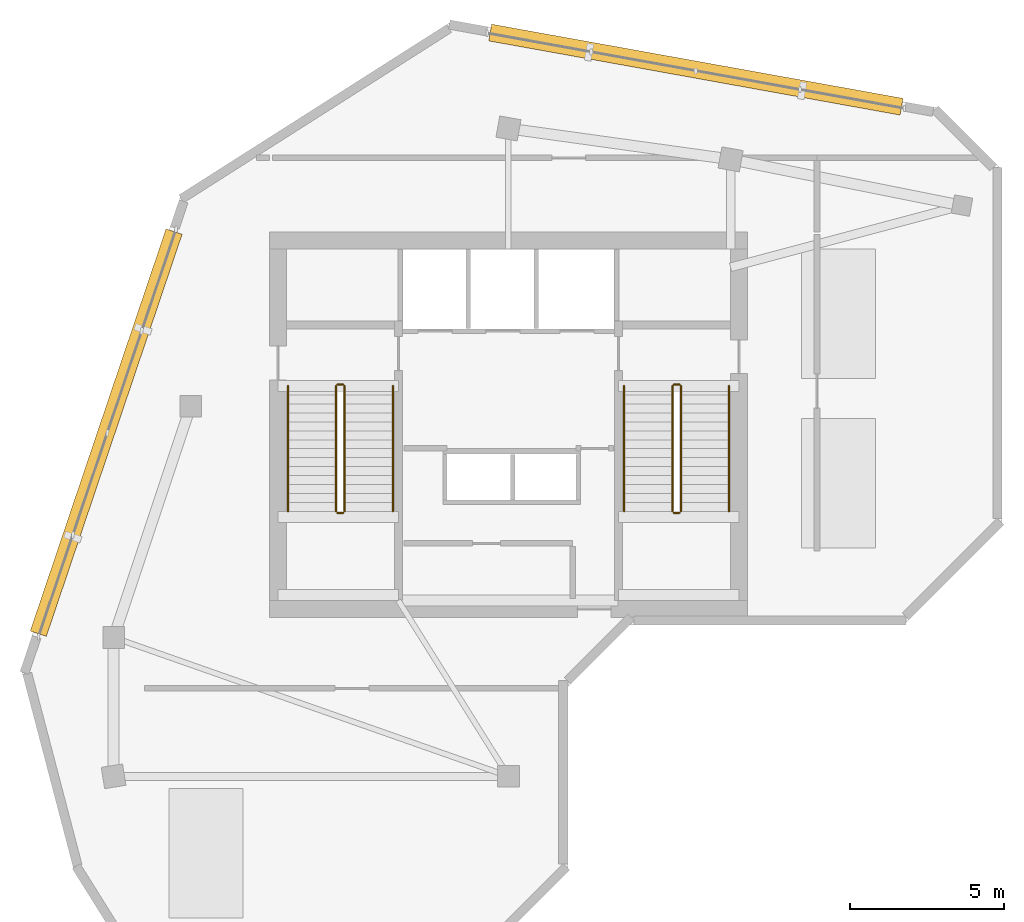
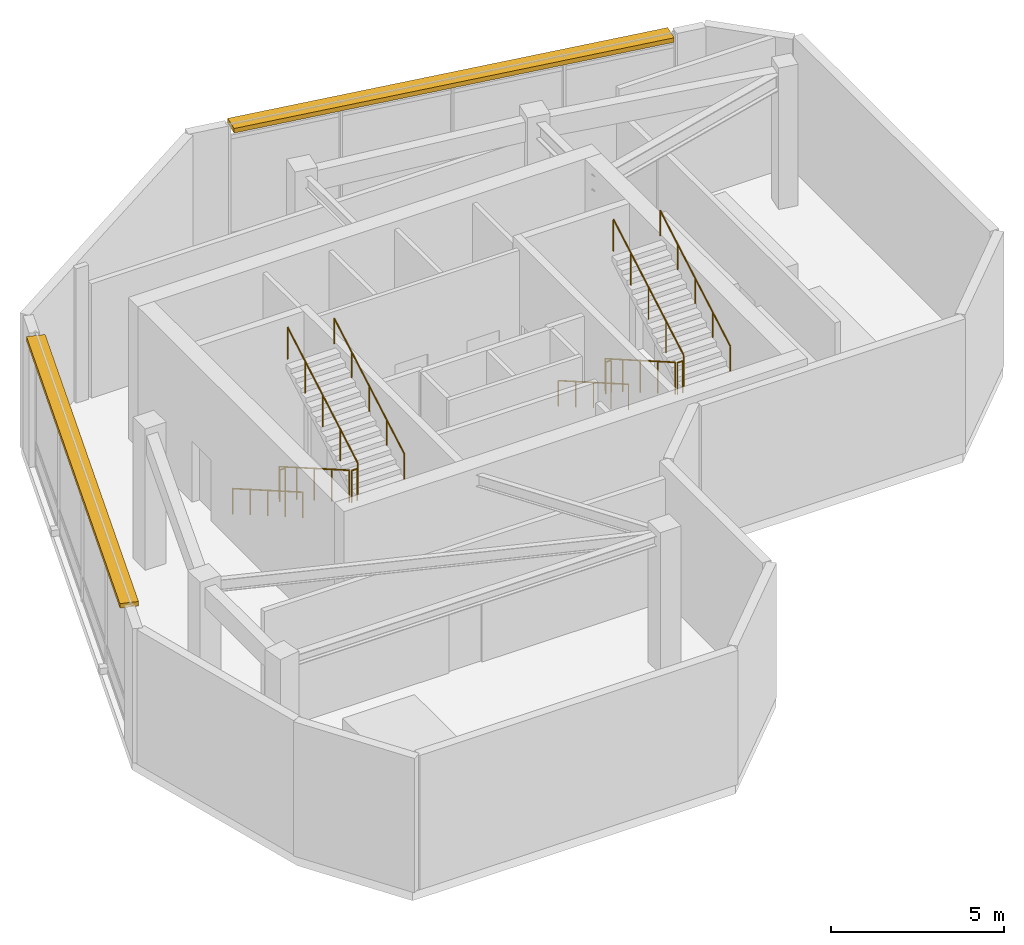
# One storey, part 4 of 4: 12 railings, 2 shading devices.
"""IFC4 building model written with IfcOpenShell, lengths in metres."""

from ifc_helpers import new_model, si_unit, direction, frame, frame_2d, origin, origin_2d, place, context, subcontext, project, spatial, rectangle, circle, extrude, material, type_object, element, save


model = new_model("IFC4")

# Units and contexts
model_context = context("Model", 3, precision=1e-05, world=origin(), true_north=direction((0.0, 1.0)))
body_context = subcontext(model_context, "Body", "Model", "MODEL_VIEW")
ifc_project = project(units=[si_unit("LENGTHUNIT", "METRE"), si_unit("AREAUNIT", "SQUARE_METRE"), si_unit("VOLUMEUNIT", "CUBIC_METRE"), si_unit("PLANEANGLEUNIT", "RADIAN"), si_unit("MASSUNIT", "GRAM", prefix="KILO")], contexts=[model_context])

# Site, building, storey
site_placement = place(None, origin())
site = spatial("IfcSite", under=ifc_project, at=site_placement, CompositionType="ELEMENT")
building_placement = place(site_placement, origin())
building = spatial("IfcBuilding", under=site, at=building_placement, Name="Calvemar Wedge Station Tower", CompositionType="ELEMENT")
storey_placement = place(building_placement, frame((0.0, 0.0, 304.5)))
storey = spatial("IfcBuildingStorey", under=building, at=storey_placement, Name="L78", CompositionType="ELEMENT", Elevation=304.5)

# Railings
ifc_material_1 = material(Name="Stainless steel AISI 316L", Category="steel")
railing_type_1 = type_object("IfcRailingType", Name="RL-HANDRAIL-920", PredefinedType="HANDRAIL", material=ifc_material_1)
railing_1_placement = place(storey_placement, frame((16.64990234375, 41.14990234375, 0.166748046875)))
element("IfcRailing", 1, at=railing_1_placement, inside=storey, type_object=railing_type_1, Name="L78 ST-C1 stair handrail 1", PredefinedType="HANDRAIL", context=body_context, shape_type="SweptSolid", body=[
    extrude(circle(Radius=0.02392578125, at=origin_2d()), frame((0.0, 0.0, 0.89599609375), z_axis=(0.0, -0.86701161382, 0.498287930319), x_axis=(1.0, 0.0, 0.0)), (0.0, 0.0, 1.0), 4.6826171875),
    extrude(circle(Radius=0.02099609375, at=origin_2d()), origin(), (0.0, 0.0, 1.0), 0.871826171875),
    extrude(circle(Radius=0.02099609375, at=origin_2d()), frame((0.0, -1.014892578125, 0.583251953125)), (0.0, 0.0, 1.0), 0.871826171875),
    extrude(circle(Radius=0.02099609375, at=origin_2d()), frame((0.0, -2.02978515625, 1.16650390625)), (0.0, 0.0, 1.0), 0.871826171875),
    extrude(circle(Radius=0.02099609375, at=origin_2d()), frame((0.0, -3.044921875, 1.75)), (0.0, 0.0, 1.0), 0.871826171875),
    extrude(circle(Radius=0.02099609375, at=origin_2d()), frame((0.0, -4.059814453125, 2.333251953125)), (0.0, 0.0, 1.0), 0.871826171875),
])
railing_2_placement = place(storey_placement, frame((20.050048828125, 37.090087890625, 2.666748046875)))
element("IfcRailing", 2, at=railing_2_placement, inside=storey, type_object=railing_type_1, Name="L78 ST-C1 stair handrail 2", PredefinedType="HANDRAIL", context=body_context, shape_type="SweptSolid", body=[
    extrude(circle(Radius=0.02392578125, at=origin_2d()), frame((0.0, 0.0, 0.89599609375), z_axis=(0.0, 0.86701161382, 0.498287930319), x_axis=(-1.0, 0.0, 0.0)), (0.0, 0.0, 1.0), 4.6826171875),
    extrude(circle(Radius=0.02099609375, at=origin_2d()), origin(), (0.0, 0.0, 1.0), 0.871826171875),
    extrude(circle(Radius=0.02099609375, at=origin_2d()), frame((0.0, 1.014892578125, 0.583251953125)), (0.0, 0.0, 1.0), 0.871826171875),
    extrude(circle(Radius=0.02099609375, at=origin_2d()), frame((0.0, 2.02978515625, 1.16650390625)), (0.0, 0.0, 1.0), 0.871826171875),
    extrude(circle(Radius=0.02099609375, at=origin_2d()), frame((0.0, 3.044921875, 1.75)), (0.0, 0.0, 1.0), 0.871826171875),
    extrude(circle(Radius=0.02099609375, at=origin_2d()), frame((0.0, 4.059814453125, 2.333251953125)), (0.0, 0.0, 1.0), 0.871826171875),
])
railing_3_placement = place(storey_placement, frame((27.550048828125, 41.14990234375, 0.166748046875)))
element("IfcRailing", 3, at=railing_3_placement, inside=storey, type_object=railing_type_1, Name="L78 ST-C2 stair handrail 1", PredefinedType="HANDRAIL", context=body_context, shape_type="SweptSolid", body=[
    extrude(circle(Radius=0.02392578125, at=origin_2d()), frame((0.0, 0.0, 0.89599609375), z_axis=(0.0, -0.86701161382, 0.498287930319), x_axis=(1.0, 0.0, 0.0)), (0.0, 0.0, 1.0), 4.6826171875),
    extrude(circle(Radius=0.02099609375, at=origin_2d()), origin(), (0.0, 0.0, 1.0), 0.871826171875),
    extrude(circle(Radius=0.02099609375, at=origin_2d()), frame((0.0, -1.014892578125, 0.583251953125)), (0.0, 0.0, 1.0), 0.871826171875),
    extrude(circle(Radius=0.02099609375, at=origin_2d()), frame((0.0, -2.02978515625, 1.16650390625)), (0.0, 0.0, 1.0), 0.871826171875),
    extrude(circle(Radius=0.02099609375, at=origin_2d()), frame((0.0, -3.044921875, 1.75)), (0.0, 0.0, 1.0), 0.871826171875),
    extrude(circle(Radius=0.02099609375, at=origin_2d()), frame((0.0, -4.059814453125, 2.333251953125)), (0.0, 0.0, 1.0), 0.871826171875),
])
railing_4_placement = place(storey_placement, frame((30.949951171875, 37.090087890625, 2.666748046875)))
element("IfcRailing", 4, at=railing_4_placement, inside=storey, type_object=railing_type_1, Name="L78 ST-C2 stair handrail 2", PredefinedType="HANDRAIL", context=body_context, shape_type="SweptSolid", body=[
    extrude(circle(Radius=0.02392578125, at=origin_2d()), frame((0.0, 0.0, 0.89599609375), z_axis=(0.0, 0.86701161382, 0.498287930319), x_axis=(-1.0, 0.0, 0.0)), (0.0, 0.0, 1.0), 4.6826171875),
    extrude(circle(Radius=0.02099609375, at=origin_2d()), origin(), (0.0, 0.0, 1.0), 0.871826171875),
    extrude(circle(Radius=0.02099609375, at=origin_2d()), frame((0.0, 1.014892578125, 0.583251953125)), (0.0, 0.0, 1.0), 0.871826171875),
    extrude(circle(Radius=0.02099609375, at=origin_2d()), frame((0.0, 2.02978515625, 1.16650390625)), (0.0, 0.0, 1.0), 0.871826171875),
    extrude(circle(Radius=0.02099609375, at=origin_2d()), frame((0.0, 3.044921875, 1.75)), (0.0, 0.0, 1.0), 0.871826171875),
    extrude(circle(Radius=0.02099609375, at=origin_2d()), frame((0.0, 4.059814453125, 2.333251953125)), (0.0, 0.0, 1.0), 0.871826171875),
])
ifc_material_2 = material(Name="Painted steel guardrail ASTM A500 Grade C", Category="steel")
railing_type_2 = type_object("IfcRailingType", Name="RL-STAIR-GUARD-1150", PredefinedType="GUARDRAIL", material=ifc_material_2)
railing_5_placement = place(storey_placement, frame((18.2099609375, 41.14990234375, 0.166748046875)))
element("IfcRailing", 5, at=railing_5_placement, inside=storey, type_object=railing_type_2, Name="L78 ST-C1 stair guard 1", PredefinedType="GUARDRAIL", context=body_context, shape_type="SweptSolid", body=[
    extrude(circle(Radius=0.02392578125, at=origin_2d()), frame((0.0, 0.0, 1.1259765625), z_axis=(0.0, -0.86701161382, 0.498287930319), x_axis=(1.0, 0.0, 0.0)), (0.0, 0.0, 1.0), 4.6826171875),
    extrude(circle(Radius=0.02099609375, at=origin_2d()), origin(), (0.0, 0.0, 1.0), 1.101806640625),
    extrude(circle(Radius=0.02099609375, at=origin_2d()), frame((0.0, -1.014892578125, 0.583251953125)), (0.0, 0.0, 1.0), 1.101806640625),
    extrude(circle(Radius=0.02099609375, at=origin_2d()), frame((0.0, -2.02978515625, 1.16650390625)), (0.0, 0.0, 1.0), 1.101806640625),
    extrude(circle(Radius=0.02099609375, at=origin_2d()), frame((0.0, -3.044921875, 1.75)), (0.0, 0.0, 1.0), 1.101806640625),
    extrude(circle(Radius=0.02099609375, at=origin_2d()), frame((0.0, -4.059814453125, 2.333251953125)), (0.0, 0.0, 1.0), 1.101806640625),
])
railing_6_placement = place(storey_placement, frame((18.260009765625, 37.0400390625, 2.5)))
element("IfcRailing", 6, at=railing_6_placement, inside=storey, type_object=railing_type_2, Name="L78 ST-C1 stair guard 2", PredefinedType="GUARDRAIL", context=body_context, shape_type="SweptSolid", body=[
    extrude(circle(Radius=0.02392578125, at=origin_2d()), frame((0.0, 0.0, 1.1259765625), z_axis=(1.0, 0.0, 0.0), x_axis=(0.0, 1.0, 0.0)), (0.0, 0.0, 1.0), 0.179931640625),
    extrude(circle(Radius=0.02099609375, at=origin_2d()), origin(), (0.0, 0.0, 1.0), 1.101806640625),
    extrude(circle(Radius=0.02099609375, at=origin_2d()), frame((0.179931640625, 0.0, 0.0)), (0.0, 0.0, 1.0), 1.101806640625),
])
railing_7_placement = place(storey_placement, frame((18.489990234375, 37.090087890625, 2.666748046875)))
element("IfcRailing", 7, at=railing_7_placement, inside=storey, type_object=railing_type_2, Name="L78 ST-C1 stair guard 3", PredefinedType="GUARDRAIL", context=body_context, shape_type="SweptSolid", body=[
    extrude(circle(Radius=0.02392578125, at=origin_2d()), frame((0.0, 0.0, 1.1259765625), z_axis=(0.0, 0.86701161382, 0.498287930319), x_axis=(-1.0, 0.0, 0.0)), (0.0, 0.0, 1.0), 4.6826171875),
    extrude(circle(Radius=0.02099609375, at=origin_2d()), origin(), (0.0, 0.0, 1.0), 1.101806640625),
    extrude(circle(Radius=0.02099609375, at=origin_2d()), frame((0.0, 1.014892578125, 0.583251953125)), (0.0, 0.0, 1.0), 1.101806640625),
    extrude(circle(Radius=0.02099609375, at=origin_2d()), frame((0.0, 2.02978515625, 1.16650390625)), (0.0, 0.0, 1.0), 1.101806640625),
    extrude(circle(Radius=0.02099609375, at=origin_2d()), frame((0.0, 3.044921875, 1.75)), (0.0, 0.0, 1.0), 1.101806640625),
    extrude(circle(Radius=0.02099609375, at=origin_2d()), frame((0.0, 4.059814453125, 2.333251953125)), (0.0, 0.0, 1.0), 1.101806640625),
])
railing_8_placement = place(storey_placement, frame((18.260009765625, 41.199951171875, 0.0)))
element("IfcRailing", 8, at=railing_8_placement, inside=storey, type_object=railing_type_2, Name="L78 ST-C1 stair guard 4", PredefinedType="GUARDRAIL", context=body_context, shape_type="SweptSolid", body=[
    extrude(circle(Radius=0.02392578125, at=origin_2d()), frame((0.0, 0.0, 1.1259765625), z_axis=(1.0, 0.0, 0.0), x_axis=(0.0, 1.0, 0.0)), (0.0, 0.0, 1.0), 0.179931640625),
    extrude(circle(Radius=0.02099609375, at=origin_2d()), origin(), (0.0, 0.0, 1.0), 1.101806640625),
    extrude(circle(Radius=0.02099609375, at=origin_2d()), frame((0.179931640625, 0.0, 0.0)), (0.0, 0.0, 1.0), 1.101806640625),
])
railing_9_placement = place(storey_placement, frame((29.110107421875, 41.14990234375, 0.166748046875)))
element("IfcRailing", 9, at=railing_9_placement, inside=storey, type_object=railing_type_2, Name="L78 ST-C2 stair guard 1", PredefinedType="GUARDRAIL", context=body_context, shape_type="SweptSolid", body=[
    extrude(circle(Radius=0.02392578125, at=origin_2d()), frame((0.0, 0.0, 1.1259765625), z_axis=(0.0, -0.86701161382, 0.498287930319), x_axis=(1.0, 0.0, 0.0)), (0.0, 0.0, 1.0), 4.6826171875),
    extrude(circle(Radius=0.02099609375, at=origin_2d()), origin(), (0.0, 0.0, 1.0), 1.101806640625),
    extrude(circle(Radius=0.02099609375, at=origin_2d()), frame((0.0, -1.014892578125, 0.583251953125)), (0.0, 0.0, 1.0), 1.101806640625),
    extrude(circle(Radius=0.02099609375, at=origin_2d()), frame((0.0, -2.02978515625, 1.16650390625)), (0.0, 0.0, 1.0), 1.101806640625),
    extrude(circle(Radius=0.02099609375, at=origin_2d()), frame((0.0, -3.044921875, 1.75)), (0.0, 0.0, 1.0), 1.101806640625),
    extrude(circle(Radius=0.02099609375, at=origin_2d()), frame((0.0, -4.059814453125, 2.333251953125)), (0.0, 0.0, 1.0), 1.101806640625),
])
railing_10_placement = place(storey_placement, frame((29.159912109375, 37.0400390625, 2.5)))
element("IfcRailing", 10, at=railing_10_placement, inside=storey, type_object=railing_type_2, Name="L78 ST-C2 stair guard 2", PredefinedType="GUARDRAIL", context=body_context, shape_type="SweptSolid", body=[
    extrude(circle(Radius=0.02392578125, at=origin_2d()), frame((0.0, 0.0, 1.1259765625), z_axis=(1.0, 0.0, 0.0), x_axis=(0.0, 1.0, 0.0)), (0.0, 0.0, 1.0), 0.18017578125),
    extrude(circle(Radius=0.02099609375, at=origin_2d()), origin(), (0.0, 0.0, 1.0), 1.101806640625),
    extrude(circle(Radius=0.02099609375, at=origin_2d()), frame((0.18017578125, 0.0, 0.0)), (0.0, 0.0, 1.0), 1.101806640625),
])
railing_11_placement = place(storey_placement, frame((29.389892578125, 37.090087890625, 2.666748046875)))
element("IfcRailing", 11, at=railing_11_placement, inside=storey, type_object=railing_type_2, Name="L78 ST-C2 stair guard 3", PredefinedType="GUARDRAIL", context=body_context, shape_type="SweptSolid", body=[
    extrude(circle(Radius=0.02392578125, at=origin_2d()), frame((0.0, 0.0, 1.1259765625), z_axis=(0.0, 0.86701161382, 0.498287930319), x_axis=(-1.0, 0.0, 0.0)), (0.0, 0.0, 1.0), 4.6826171875),
    extrude(circle(Radius=0.02099609375, at=origin_2d()), origin(), (0.0, 0.0, 1.0), 1.101806640625),
    extrude(circle(Radius=0.02099609375, at=origin_2d()), frame((0.0, 1.014892578125, 0.583251953125)), (0.0, 0.0, 1.0), 1.101806640625),
    extrude(circle(Radius=0.02099609375, at=origin_2d()), frame((0.0, 2.02978515625, 1.16650390625)), (0.0, 0.0, 1.0), 1.101806640625),
    extrude(circle(Radius=0.02099609375, at=origin_2d()), frame((0.0, 3.044921875, 1.75)), (0.0, 0.0, 1.0), 1.101806640625),
    extrude(circle(Radius=0.02099609375, at=origin_2d()), frame((0.0, 4.059814453125, 2.333251953125)), (0.0, 0.0, 1.0), 1.101806640625),
])
railing_12_placement = place(storey_placement, frame((29.159912109375, 41.199951171875, 0.0)))
element("IfcRailing", 12, at=railing_12_placement, inside=storey, type_object=railing_type_2, Name="L78 ST-C2 stair guard 4", PredefinedType="GUARDRAIL", context=body_context, shape_type="SweptSolid", body=[
    extrude(circle(Radius=0.02392578125, at=origin_2d()), frame((0.0, 0.0, 1.1259765625), z_axis=(1.0, 0.0, 0.0), x_axis=(0.0, 1.0, 0.0)), (0.0, 0.0, 1.0), 0.18017578125),
    extrude(circle(Radius=0.02099609375, at=origin_2d()), origin(), (0.0, 0.0, 1.0), 1.101806640625),
    extrude(circle(Radius=0.02099609375, at=origin_2d()), frame((0.18017578125, 0.0, 0.0)), (0.0, 0.0, 1.0), 1.101806640625),
])

# Shading devices
ifc_material_3 = material(Name="Precast concrete C45", Category="concrete")
shading_device_type = type_object("IfcShadingDeviceType", Name="SHD-EYEBROW-1", PredefinedType="SHUTTER", material=ifc_material_3)
shading_device_1_placement = place(storey_placement, frame((36.54248046875, 50.205810546875, 4.570068359375), z_axis=(0.0, 0.0, 1.0), x_axis=(-0.98413893269, 0.177399439584, 0.0)))
element("IfcShadingDevice", 13, at=shading_device_1_placement, inside=storey, type_object=shading_device_type, Name="Storey L78 Bronze GFRC Solar Eyebrow 10", PredefinedType="SHUTTER", context=body_context, shape_type="SweptSolid", body=[
    extrude(rectangle(XDim=13.548828125, YDim=0.550048828125, at=frame_2d((6.7744140625, 0.0))), origin(), (0.0, 0.0, 1.0), 0.159912109375),
])
shading_device_2_placement = place(storey_placement, frame((12.960205078125, 46.158447265625, 4.570068359375), z_axis=(0.0, 0.0, 1.0), x_axis=(-0.31991506374, -0.947446226438, 0.0)))
element("IfcShadingDevice", 14, at=shading_device_2_placement, inside=storey, type_object=shading_device_type, Name="Storey L78 Bronze GFRC Solar Eyebrow 12", PredefinedType="SHUTTER", context=body_context, shape_type="SweptSolid", body=[
    extrude(rectangle(XDim=13.75634765625, YDim=0.550048828125, at=frame_2d((6.878173828125, 0.0))), origin(), (0.0, 0.0, 1.0), 0.159912109375),
])

save(model, "model.ifc")
